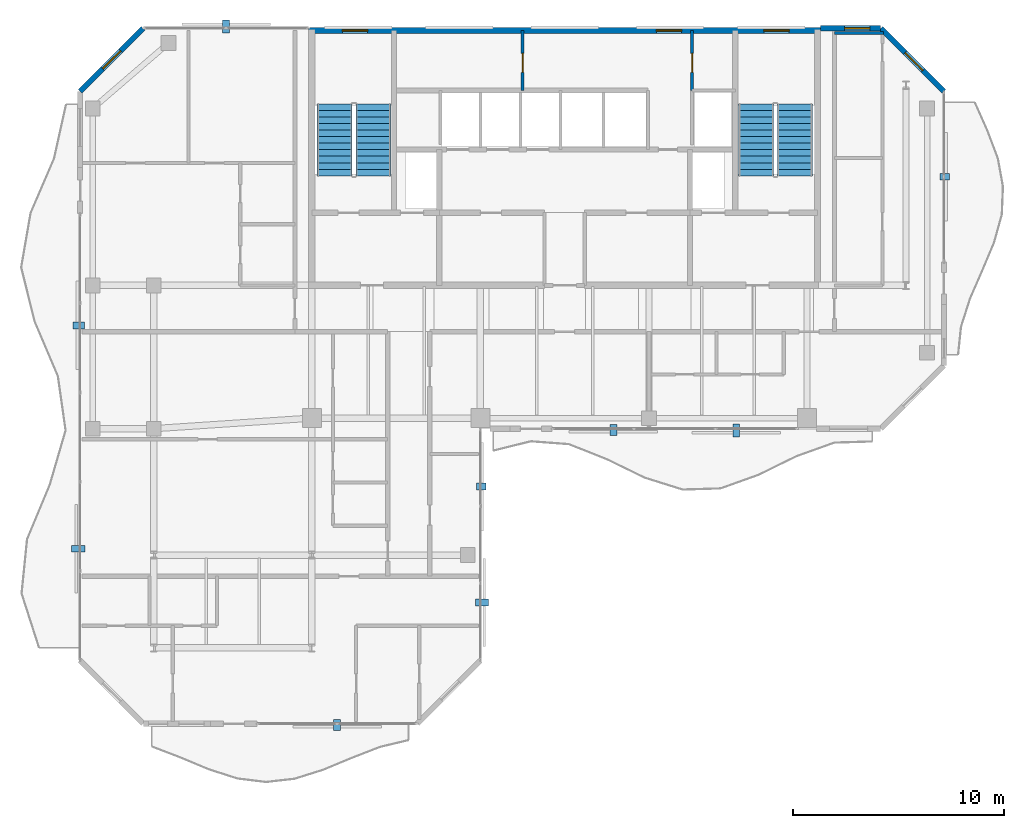
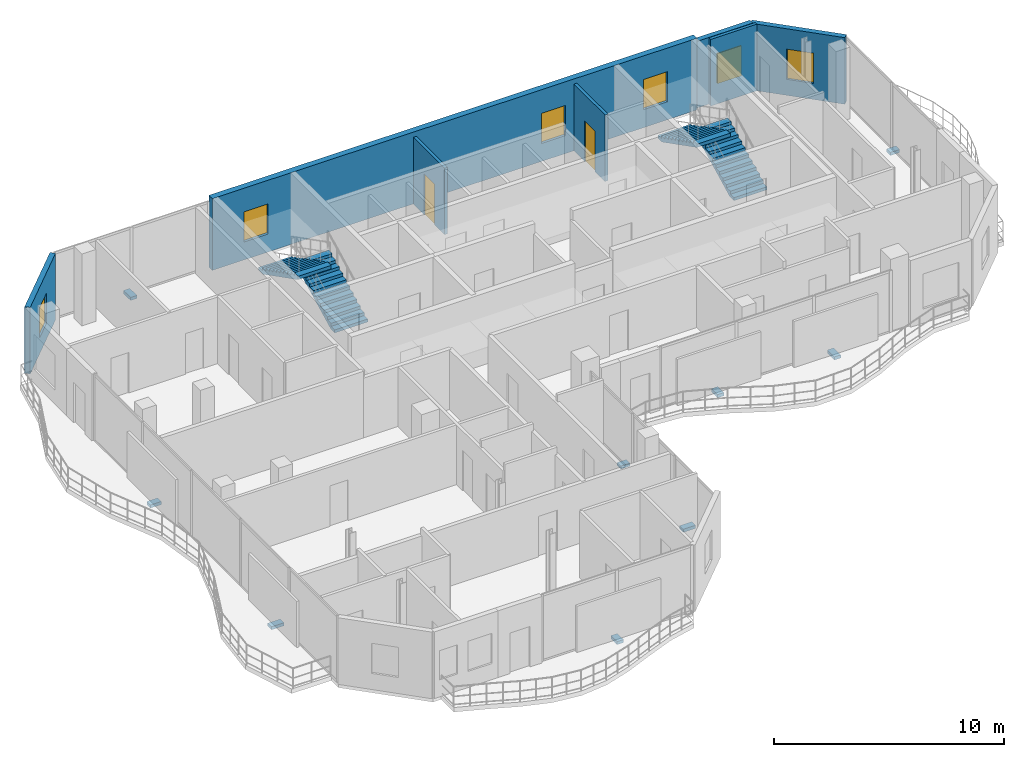
# One storey, part 20 of 22: 9 discrete accessories, 7 walls, 6 windows, 4 stair flights, 2 doors, 8 openings, 2 elements without a shape of their own.
"""IFC4 building model written with IfcOpenShell, lengths in metres."""

from ifc_helpers import new_model, si_unit, direction, frame, frame_2d, origin, origin_2d, place, context, subcontext, project, spatial, polyline, rectangle, outline, extrude, material, layer, layer_set, type_object, element, fill, aggregate, save


model = new_model("IFC4")

# Units and contexts
model_context = context("Model", 3, precision=1e-05, world=origin(), true_north=direction((0.0, 1.0)))
body_context = subcontext(model_context, "Body", "Model", "MODEL_VIEW")
ifc_project = project(units=[si_unit("LENGTHUNIT", "METRE"), si_unit("AREAUNIT", "SQUARE_METRE"), si_unit("VOLUMEUNIT", "CUBIC_METRE"), si_unit("PLANEANGLEUNIT", "RADIAN"), si_unit("MASSUNIT", "GRAM", prefix="KILO")], contexts=[model_context])

# Site, building, storey
site_placement = place(None, origin())
site = spatial("IfcSite", under=ifc_project, at=site_placement, CompositionType="ELEMENT")
building_placement = place(site_placement, origin())
building = spatial("IfcBuilding", under=site, at=building_placement, Name="Catumbela Crestline Tower", CompositionType="ELEMENT")
storey_placement = place(building_placement, frame((0.0, 0.0, 260.2)))
storey = spatial("IfcBuildingStorey", under=building, at=storey_placement, Name="L67", CompositionType="ELEMENT", Elevation=260.2)

# Wall, openings, windows
ifc_material_1 = material(Name="Concrete C45/55", Category="concrete")
ifc_layer_1 = layer(ifc_material_1, 0.3, Name="Concrete C45/55")
ifc_layer_set_1 = layer_set([ifc_layer_1], Name="Concrete C45/55")
wall_type_1 = type_object("IfcWallType", Name="CW-300E", PredefinedType="SHEAR", material=ifc_layer_set_1)
wall_1_placement = place(storey_placement, frame((15.85, 42.9, 0.0), z_axis=(0.0, 0.0, 1.0), x_axis=(1.0, 0.0, 0.0)))
wall_1 = element("IfcWall", 1, at=wall_1_placement, inside=storey, type_object=wall_type_1, Name="L67 Structural Core Shear Wall N", PredefinedType="SHEAR", context=body_context, shape_type="SweptSolid", body=[
    extrude(rectangle(XDim=24.3, YDim=0.3, at=frame_2d((12.15, 0.0))), origin(), (0.0, 0.0, 1.0), 3.8),
])
opening_1_placement = place(wall_1_placement, frame((1.6, 0.0, 0.95)))
opening_1 = element("IfcOpeningElement", 2, at=opening_1_placement, cuts=wall_1, Name="Opening WN-02", PredefinedType="OPENING", context=body_context, shape_type="SweptSolid", body=[
    extrude(rectangle(XDim=1.2, YDim=1.6, at=frame_2d((0.6, 0.8))), frame((0.0, 0.16, 0.0), z_axis=(0.0, -1.0, 0.0), x_axis=(1.0, 0.0, 0.0)), (0.0, 0.0, 1.0), 0.32),
])
opening_2_placement = place(wall_1_placement, frame((16.5, 0.0, 0.95)))
opening_2 = element("IfcOpeningElement", 3, at=opening_2_placement, cuts=wall_1, Name="Opening WN-02", PredefinedType="OPENING", context=body_context, shape_type="SweptSolid", body=[
    extrude(rectangle(XDim=1.2, YDim=1.6, at=frame_2d((0.6, 0.8))), frame((0.0, 0.16, 0.0), z_axis=(0.0, -1.0, 0.0), x_axis=(1.0, 0.0, 0.0)), (0.0, 0.0, 1.0), 0.32),
])
opening_3_placement = place(wall_1_placement, frame((21.6, 0.0, 0.95)))
opening_3 = element("IfcOpeningElement", 4, at=opening_3_placement, cuts=wall_1, Name="Opening WN-02", PredefinedType="OPENING", context=body_context, shape_type="SweptSolid", body=[
    extrude(rectangle(XDim=1.2, YDim=1.6, at=frame_2d((0.6, 0.8))), frame((0.0, 0.16, 0.0), z_axis=(0.0, -1.0, 0.0), x_axis=(1.0, 0.0, 0.0)), (0.0, 0.0, 1.0), 0.32),
])
ifc_material_2 = material(Name="Low-E laminated solar-control double glazing", Category="glass")
window_type = type_object("IfcWindowType", Name="WO-1200", PartitioningType="SINGLE_PANEL", PredefinedType="WINDOW", material=ifc_material_2)
window_1_placement = place(opening_1_placement, origin())
window_1 = element("IfcWindow", 5, at=window_1_placement, inside=storey, type_object=window_type, Name="L67 North Core Daylight Vision Window 515", OverallHeight=1.6, OverallWidth=1.2, PartitioningType="SINGLE_PANEL", PredefinedType="WINDOW", context=body_context, shape_type="SweptSolid", body=[
    extrude(rectangle(XDim=1.2, YDim=1.6, at=frame_2d((0.6, 0.8))), frame((0.0, 0.03, 0.0), z_axis=(0.0, -1.0, 0.0), x_axis=(1.0, 0.0, 0.0)), (0.0, 0.0, 1.0), 0.06),
])
fill(opening_1, window_1)
window_2_placement = place(opening_2_placement, origin())
window_2 = element("IfcWindow", 6, at=window_2_placement, inside=storey, type_object=window_type, Name="L67 North Core Daylight Vision Window 516", OverallHeight=1.6, OverallWidth=1.2, PartitioningType="SINGLE_PANEL", PredefinedType="WINDOW", context=body_context, shape_type="SweptSolid", body=[
    extrude(rectangle(XDim=1.2, YDim=1.6, at=frame_2d((0.6, 0.8))), frame((0.0, 0.03, 0.0), z_axis=(0.0, -1.0, 0.0), x_axis=(1.0, 0.0, 0.0)), (0.0, 0.0, 1.0), 0.06),
])
fill(opening_2, window_2)
window_3_placement = place(opening_3_placement, origin())
window_3 = element("IfcWindow", 7, at=window_3_placement, inside=storey, type_object=window_type, Name="L67 North Core Daylight Vision Window 517", OverallHeight=1.6, OverallWidth=1.2, PartitioningType="SINGLE_PANEL", PredefinedType="WINDOW", context=body_context, shape_type="SweptSolid", body=[
    extrude(rectangle(XDim=1.2, YDim=1.6, at=frame_2d((0.6, 0.8))), frame((0.0, 0.03, 0.0), z_axis=(0.0, -1.0, 0.0), x_axis=(1.0, 0.0, 0.0)), (0.0, 0.0, 1.0), 0.06),
])
fill(opening_3, window_3)

# Wall, opening, window
ifc_material_3 = material(Name="Angolan grey-ochre granite", Category="masonry")
ifc_layer_2 = layer(ifc_material_3, 0.25, Name="Angolan grey-ochre granite")
ifc_layer_set_2 = layer_set([ifc_layer_2], Name="Angolan grey-ochre granite")
wall_type_2 = type_object("IfcWallType", Name="WE-250", PredefinedType="STANDARD", material=ifc_layer_set_2)
wall_2_placement = place(storey_placement, frame((46.0, 40.0, 0.0), z_axis=(0.0, 0.0, 1.0), x_axis=(-0.707106781187, 0.707106781187, 0.0)))
wall_2 = element("IfcWall", 8, at=wall_2_placement, inside=storey, type_object=wall_type_2, Name="L67 Granite Punched Window Wall 6-1", PredefinedType="STANDARD", context=body_context, shape_type="SweptSolid", body=[
    extrude(rectangle(XDim=4.2426, YDim=0.25, at=frame_2d((2.1213, 0.0))), origin(), (0.0, 0.0, 1.0), 3.53),
])
opening_4_placement = place(wall_2_placement, frame((1.4111, 0.0, 0.85)))
opening_4 = element("IfcOpeningElement", 9, at=opening_4_placement, cuts=wall_2, Name="Opening WN-02", PredefinedType="OPENING", context=body_context, shape_type="SweptSolid", body=[
    extrude(rectangle(XDim=1.2, YDim=1.6, at=frame_2d((0.6, 0.8))), frame((0.0, 0.135, 0.0), z_axis=(0.0, -1.0, 0.0), x_axis=(1.0, 0.0, 0.0)), (0.0, 0.0, 1.0), 0.27),
])
window_4_placement = place(opening_4_placement, origin())
window_4 = element("IfcWindow", 10, at=window_4_placement, inside=storey, type_object=window_type, Name="L67 Facade Vision Window 524", OverallHeight=1.6, OverallWidth=1.2, PartitioningType="SINGLE_PANEL", PredefinedType="WINDOW", context=body_context, shape_type="SweptSolid", body=[
    extrude(rectangle(XDim=1.2, YDim=1.6, at=frame_2d((0.6, 0.8))), frame((0.0, 0.03, 0.0), z_axis=(0.0, -1.0, 0.0), x_axis=(1.0, 0.0, 0.0)), (0.0, 0.0, 1.0), 0.06),
])
fill(opening_4, window_4)

wall_3_placement = place(storey_placement, frame((43.0, 43.0, 0.0), z_axis=(0.0, 0.0, 1.0), x_axis=(-1.0, 0.0, 0.0)))
wall_3 = element("IfcWall", 11, at=wall_3_placement, inside=storey, type_object=wall_type_2, Name="L67 Granite Punched Window Wall 7-1", PredefinedType="STANDARD", context=body_context, shape_type="SweptSolid", body=[
    extrude(rectangle(XDim=2.86, YDim=0.25, at=frame_2d((1.43, 0.0))), origin(), (0.0, 0.0, 1.0), 3.53),
])
opening_5_placement = place(wall_3_placement, frame((0.51, 0.0, 0.85)))
opening_5 = element("IfcOpeningElement", 12, at=opening_5_placement, cuts=wall_3, Name="Opening WN-02", PredefinedType="OPENING", context=body_context, shape_type="SweptSolid", body=[
    extrude(rectangle(XDim=1.2, YDim=1.6, at=frame_2d((0.6, 0.8))), frame((0.0, 0.135, 0.0), z_axis=(0.0, -1.0, 0.0), x_axis=(1.0, 0.0, 0.0)), (0.0, 0.0, 1.0), 0.27),
])
window_5_placement = place(opening_5_placement, origin())
window_5 = element("IfcWindow", 13, at=window_5_placement, inside=storey, type_object=window_type, Name="L67 Facade Vision Window 525", OverallHeight=1.6, OverallWidth=1.2, PartitioningType="SINGLE_PANEL", PredefinedType="WINDOW", context=body_context, shape_type="SweptSolid", body=[
    extrude(rectangle(XDim=1.2, YDim=1.6, at=frame_2d((0.6, 0.8))), frame((0.0, 0.03, 0.0), z_axis=(0.0, -1.0, 0.0), x_axis=(1.0, 0.0, 0.0)), (0.0, 0.0, 1.0), 0.06),
])
fill(opening_5, window_5)

wall_4_placement = place(storey_placement, frame((8.0, 43.0, 0.0), z_axis=(0.0, 0.0, 1.0), x_axis=(-0.707106781187, -0.707106781187, 0.0)))
wall_4 = element("IfcWall", 14, at=wall_4_placement, inside=storey, type_object=wall_type_2, Name="L67 Granite Punched Window Wall 8-1", PredefinedType="STANDARD", context=body_context, shape_type="SweptSolid", body=[
    extrude(rectangle(XDim=4.2426, YDim=0.25, at=frame_2d((2.1213, 0.0))), origin(), (0.0, 0.0, 1.0), 3.53),
])
opening_6_placement = place(wall_4_placement, frame((1.5213, 0.0, 0.85)))
opening_6 = element("IfcOpeningElement", 15, at=opening_6_placement, cuts=wall_4, Name="Opening WN-02", PredefinedType="OPENING", context=body_context, shape_type="SweptSolid", body=[
    extrude(rectangle(XDim=1.2, YDim=1.6, at=frame_2d((0.6, 0.8))), frame((0.0, 0.135, 0.0), z_axis=(0.0, -1.0, 0.0), x_axis=(1.0, 0.0, 0.0)), (0.0, 0.0, 1.0), 0.27),
])
window_6_placement = place(opening_6_placement, origin())
window_6 = element("IfcWindow", 16, at=window_6_placement, inside=storey, type_object=window_type, Name="L67 Facade Vision Window 526", OverallHeight=1.6, OverallWidth=1.2, PartitioningType="SINGLE_PANEL", PredefinedType="WINDOW", context=body_context, shape_type="SweptSolid", body=[
    extrude(rectangle(XDim=1.2, YDim=1.6, at=frame_2d((0.6, 0.8))), frame((0.0, 0.03, 0.0), z_axis=(0.0, -1.0, 0.0), x_axis=(1.0, 0.0, 0.0)), (0.0, 0.0, 1.0), 0.06),
])
fill(opening_6, window_6)

# Wall, opening, door
ifc_material_4 = material(Name="Acoustic gypsum and mineral-wool partition")
ifc_layer_3 = layer(ifc_material_4, 0.15, Name="Acoustic gypsum and mineral-wool partition")
ifc_layer_set_3 = layer_set([ifc_layer_3], Name="Acoustic gypsum and mineral-wool partition")
wall_type_3 = type_object("IfcWallType", Name="WP-150", PredefinedType="PARTITIONING", material=ifc_layer_set_3)
wall_5_placement = place(storey_placement, frame((34.05, 40.05, 0.0), z_axis=(0.0, 0.0, 1.0), x_axis=(0.0, 1.0, 0.0)))
wall_5 = element("IfcWall", 17, at=wall_5_placement, inside=storey, type_object=wall_type_3, Name="L67 Interior Partition PW-L67-CR-EW", PredefinedType="PARTITIONING", context=body_context, shape_type="SweptSolid", body=[
    extrude(rectangle(XDim=2.85, YDim=0.15, at=frame_2d((1.425, 0.0))), origin(), (0.0, 0.0, 1.0), 3.53),
])
opening_7_placement = place(wall_5_placement, frame((0.865, 0.0, 0.0)))
opening_7 = element("IfcOpeningElement", 18, at=opening_7_placement, cuts=wall_5, Name="Opening DF9-090", PredefinedType="OPENING", context=body_context, shape_type="SweptSolid", body=[
    extrude(rectangle(XDim=0.9, YDim=2.15, at=frame_2d((0.45, 1.075))), frame((0.0, 0.085, 0.0), z_axis=(0.0, -1.0, 0.0), x_axis=(1.0, 0.0, 0.0)), (0.0, 0.0, 1.0), 0.17),
])
ifc_material_5 = material(Name="Stainless steel EN 1.4401", Category="steel")
door_type = type_object("IfcDoorType", Name="DF9-090", OperationType="NOTDEFINED", PredefinedType="DOOR", material=ifc_material_5)
door_1_placement = place(opening_7_placement, origin())
door_1 = element("IfcDoor", 19, at=door_1_placement, inside=storey, type_object=door_type, Name="L67 Interior Door DR-L67-CREAST", OperationType="SINGLE_SWING_RIGHT", OverallHeight=2.15, OverallWidth=0.9, PredefinedType="DOOR", context=body_context, shape_type="SweptSolid", body=[
    extrude(rectangle(XDim=0.9, YDim=2.15, at=frame_2d((0.45, 1.075))), frame((0.0, 0.025, 0.0), z_axis=(0.0, -1.0, 0.0), x_axis=(1.0, 0.0, 0.0)), (0.0, 0.0, 1.0), 0.05),
])
fill(opening_7, door_1)

wall_6_placement = place(storey_placement, frame((26.0, 40.05, 0.0), z_axis=(0.0, 0.0, 1.0), x_axis=(0.0, 1.0, 0.0)))
wall_6 = element("IfcWall", 20, at=wall_6_placement, inside=storey, type_object=wall_type_3, Name="L67 Interior Partition PW-L67-CR-WW", PredefinedType="PARTITIONING", context=body_context, shape_type="SweptSolid", body=[
    extrude(rectangle(XDim=2.85, YDim=0.15, at=frame_2d((1.425, 0.0))), origin(), (0.0, 0.0, 1.0), 3.53),
])
opening_8_placement = place(wall_6_placement, frame((0.865, 0.0, 0.0)))
opening_8 = element("IfcOpeningElement", 21, at=opening_8_placement, cuts=wall_6, Name="Opening DF9-090", PredefinedType="OPENING", context=body_context, shape_type="SweptSolid", body=[
    extrude(rectangle(XDim=0.9, YDim=2.15, at=frame_2d((0.45, 1.075))), frame((0.0, 0.085, 0.0), z_axis=(0.0, -1.0, 0.0), x_axis=(1.0, 0.0, 0.0)), (0.0, 0.0, 1.0), 0.17),
])
door_2_placement = place(opening_8_placement, origin())
door_2 = element("IfcDoor", 22, at=door_2_placement, inside=storey, type_object=door_type, Name="L67 Interior Door DR-L67-CRWEST", OperationType="SINGLE_SWING_LEFT", OverallHeight=2.15, OverallWidth=0.9, PredefinedType="DOOR", context=body_context, shape_type="SweptSolid", body=[
    extrude(rectangle(XDim=0.9, YDim=2.15, at=frame_2d((0.45, 1.075))), frame((0.0, 0.025, 0.0), z_axis=(0.0, -1.0, 0.0), x_axis=(1.0, 0.0, 0.0)), (0.0, 0.0, 1.0), 0.05),
])
fill(opening_8, door_2)

# Wall
wall_7_placement = place(storey_placement, frame((40.8, 42.78, 0.0), z_axis=(0.0, 0.0, 1.0), x_axis=(1.0, 0.0, 0.0)))
element("IfcWall", 23, at=wall_7_placement, inside=storey, type_object=wall_type_3, Name="L67 Interior Partition PW-L67-NE1-BTH-BCL-2", PredefinedType="PARTITIONING", context=body_context, shape_type="SweptSolid", body=[
    extrude(rectangle(XDim=2.32, YDim=0.15, at=frame_2d((1.16, 0.0))), origin(), (0.0, 0.0, 1.0), 3.53),
])

# Stair, stair flights
stair_type = type_object("IfcStairType", Name="ST-DLG", PredefinedType="HALF_TURN_STAIR", material=ifc_material_1)
stair_1_placement = place(storey_placement, origin())
stair_1 = element("IfcStair", 24, at=stair_1_placement, inside=storey, type_object=stair_type, Name="L67 West Core Pressurised Exit Stair ST-01", PredefinedType="HALF_TURN_STAIR")
stair_flight_type = type_object("IfcStairFlightType", Name="SF-1583", PredefinedType="STRAIGHT", material=ifc_material_1)
stair_flight_1_placement = place(storey_placement, frame((18.92, 36.0, 0.0), z_axis=(0.0, 0.0, 1.0), x_axis=(0.0, 1.0, 0.0)))
stair_flight_1 = element("IfcStairFlight", 25, at=stair_flight_1_placement, type_object=stair_flight_type, Name="ST-01 flight 1", NumberOfRisers=12, NumberOfTreads=11, PredefinedType="STRAIGHT", RiserHeight=0.158333333, TreadLength=0.31, context=body_context, shape_type="SweptSolid", body=[
    extrude(outline(polyline([(0.0, 0.0), (0.0, 0.1583), (0.31, 0.1583), (0.31, 0.3167), (0.62, 0.3167), (0.62, 0.475), (0.93, 0.475), (0.93, 0.6333), (1.24, 0.6333), (1.24, 0.7917), (1.55, 0.7917), (1.55, 0.95), (1.86, 0.95), (1.86, 1.1083), (2.17, 1.1083), (2.17, 1.2667), (2.48, 1.2667), (2.48, 1.425), (2.79, 1.425), (2.79, 1.5833), (3.1, 1.5833), (3.1, 1.7417), (3.41, 1.7417), (3.41, 1.9), (3.41, 1.562), (0.3518, 0.0), (0.0, 0.0)])), frame((0.0, 0.83, 0.0), z_axis=(0.0, -1.0, 0.0), x_axis=(1.0, 0.0, 0.0)), (0.0, 0.0, 1.0), 1.66),
])
stair_flight_2_placement = place(storey_placement, frame((17.08, 39.41, 1.9), z_axis=(0.0, 0.0, 1.0), x_axis=(0.0, -1.0, 0.0)))
stair_flight_2 = element("IfcStairFlight", 26, at=stair_flight_2_placement, type_object=stair_flight_type, Name="ST-01 flight 2", NumberOfRisers=12, NumberOfTreads=11, PredefinedType="STRAIGHT", RiserHeight=0.158333333, TreadLength=0.31, context=body_context, shape_type="SweptSolid", body=[
    extrude(outline(polyline([(0.0, 0.0), (0.0, 0.1583), (0.31, 0.1583), (0.31, 0.3167), (0.62, 0.3167), (0.62, 0.475), (0.93, 0.475), (0.93, 0.6333), (1.24, 0.6333), (1.24, 0.7917), (1.55, 0.7917), (1.55, 0.95), (1.86, 0.95), (1.86, 1.1083), (2.17, 1.1083), (2.17, 1.2667), (2.48, 1.2667), (2.48, 1.425), (2.79, 1.425), (2.79, 1.5833), (3.1, 1.5833), (3.1, 1.7417), (3.41, 1.7417), (3.41, 1.9), (3.41, 1.562), (0.3518, 0.0), (0.0, 0.0)])), frame((0.0, 0.83, 0.0), z_axis=(0.0, -1.0, 0.0), x_axis=(1.0, 0.0, 0.0)), (0.0, 0.0, 1.0), 1.66),
])
aggregate(stair_1, [stair_flight_1, stair_flight_2])

stair_2_placement = place(storey_placement, origin())
stair_2 = element("IfcStair", 27, at=stair_2_placement, inside=storey, type_object=stair_type, Name="L67 East Core Pressurised Exit Stair ST-02", PredefinedType="HALF_TURN_STAIR")
stair_flight_3_placement = place(storey_placement, frame((38.92, 36.0, 0.0), z_axis=(0.0, 0.0, 1.0), x_axis=(0.0, 1.0, 0.0)))
stair_flight_3 = element("IfcStairFlight", 28, at=stair_flight_3_placement, type_object=stair_flight_type, Name="ST-02 flight 1", NumberOfRisers=12, NumberOfTreads=11, PredefinedType="STRAIGHT", RiserHeight=0.158333333, TreadLength=0.31, context=body_context, shape_type="SweptSolid", body=[
    extrude(outline(polyline([(0.0, 0.0), (0.0, 0.1583), (0.31, 0.1583), (0.31, 0.3167), (0.62, 0.3167), (0.62, 0.475), (0.93, 0.475), (0.93, 0.6333), (1.24, 0.6333), (1.24, 0.7917), (1.55, 0.7917), (1.55, 0.95), (1.86, 0.95), (1.86, 1.1083), (2.17, 1.1083), (2.17, 1.2667), (2.48, 1.2667), (2.48, 1.425), (2.79, 1.425), (2.79, 1.5833), (3.1, 1.5833), (3.1, 1.7417), (3.41, 1.7417), (3.41, 1.9), (3.41, 1.562), (0.3518, 0.0), (0.0, 0.0)])), frame((0.0, 0.83, 0.0), z_axis=(0.0, -1.0, 0.0), x_axis=(1.0, 0.0, 0.0)), (0.0, 0.0, 1.0), 1.66),
])
stair_flight_4_placement = place(storey_placement, frame((37.08, 39.41, 1.9), z_axis=(0.0, 0.0, 1.0), x_axis=(0.0, -1.0, 0.0)))
stair_flight_4 = element("IfcStairFlight", 29, at=stair_flight_4_placement, type_object=stair_flight_type, Name="ST-02 flight 2", NumberOfRisers=12, NumberOfTreads=11, PredefinedType="STRAIGHT", RiserHeight=0.158333333, TreadLength=0.31, context=body_context, shape_type="SweptSolid", body=[
    extrude(outline(polyline([(0.0, 0.0), (0.0, 0.1583), (0.31, 0.1583), (0.31, 0.3167), (0.62, 0.3167), (0.62, 0.475), (0.93, 0.475), (0.93, 0.6333), (1.24, 0.6333), (1.24, 0.7917), (1.55, 0.7917), (1.55, 0.95), (1.86, 0.95), (1.86, 1.1083), (2.17, 1.1083), (2.17, 1.2667), (2.48, 1.2667), (2.48, 1.425), (2.79, 1.425), (2.79, 1.5833), (3.1, 1.5833), (3.1, 1.7417), (3.41, 1.7417), (3.41, 1.9), (3.41, 1.562), (0.3518, 0.0), (0.0, 0.0)])), frame((0.0, 0.83, 0.0), z_axis=(0.0, -1.0, 0.0), x_axis=(1.0, 0.0, 0.0)), (0.0, 0.0, 1.0), 1.66),
])
aggregate(stair_2, [stair_flight_3, stair_flight_4])

# Discrete accessories
discrete_accessory_type = type_object("IfcDiscreteAccessoryType", Name="BK-SS1", PredefinedType="BRACKET", material=ifc_material_5)
discrete_accessory_1_placement = place(storey_placement, frame((17.2, 9.935, -0.18), z_axis=(0.0, 0.0, 1.0), x_axis=(1.0, 0.0, 0.0)))
element("IfcDiscreteAccessory", 30, at=discrete_accessory_1_placement, inside=storey, type_object=discrete_accessory_type, Name="L67 Solar Screen Stainless Bracket 815", PredefinedType="BRACKET", context=body_context, shape_type="SweptSolid", body=[
    extrude(rectangle(XDim=0.32, YDim=0.54, at=origin_2d()), origin(), (0.0, 0.0, 1.0), 0.16),
])
discrete_accessory_2_placement = place(storey_placement, frame((24.085, 15.75, -0.18), z_axis=(0.0, 0.0, 1.0), x_axis=(0.0, 1.0, 0.0)))
element("IfcDiscreteAccessory", 31, at=discrete_accessory_2_placement, inside=storey, type_object=discrete_accessory_type, Name="L67 Solar Screen Stainless Bracket 816", PredefinedType="BRACKET", context=body_context, shape_type="SweptSolid", body=[
    extrude(rectangle(XDim=0.32, YDim=0.62, at=origin_2d()), origin(), (0.0, 0.0, 1.0), 0.16),
])
discrete_accessory_3_placement = place(storey_placement, frame((24.045, 21.25, -0.18), z_axis=(0.0, 0.0, 1.0), x_axis=(0.0, 1.0, 0.0)))
element("IfcDiscreteAccessory", 32, at=discrete_accessory_3_placement, inside=storey, type_object=discrete_accessory_type, Name="L67 Solar Screen Stainless Bracket 817", PredefinedType="BRACKET", context=body_context, shape_type="SweptSolid", body=[
    extrude(rectangle(XDim=0.32, YDim=0.46, at=origin_2d()), origin(), (0.0, 0.0, 1.0), 0.16),
])
discrete_accessory_4_placement = place(storey_placement, frame((30.3125, 23.935, -0.18), z_axis=(0.0, 0.0, 1.0), x_axis=(1.0, 0.0, 0.0)))
element("IfcDiscreteAccessory", 33, at=discrete_accessory_4_placement, inside=storey, type_object=discrete_accessory_type, Name="L67 Solar Screen Stainless Bracket 818", PredefinedType="BRACKET", context=body_context, shape_type="SweptSolid", body=[
    extrude(rectangle(XDim=0.32, YDim=0.54, at=origin_2d()), origin(), (0.0, 0.0, 1.0), 0.16),
])
discrete_accessory_5_placement = place(storey_placement, frame((36.1375, 23.915, -0.18), z_axis=(0.0, 0.0, 1.0), x_axis=(1.0, 0.0, 0.0)))
element("IfcDiscreteAccessory", 34, at=discrete_accessory_5_placement, inside=storey, type_object=discrete_accessory_type, Name="L67 Solar Screen Stainless Bracket 819", PredefinedType="BRACKET", context=body_context, shape_type="SweptSolid", body=[
    extrude(rectangle(XDim=0.32, YDim=0.62, at=origin_2d()), origin(), (0.0, 0.0, 1.0), 0.16),
])
discrete_accessory_6_placement = place(storey_placement, frame((46.045, 35.95, -0.18), z_axis=(0.0, 0.0, 1.0), x_axis=(0.0, 1.0, 0.0)))
element("IfcDiscreteAccessory", 35, at=discrete_accessory_6_placement, inside=storey, type_object=discrete_accessory_type, Name="L67 Solar Screen Stainless Bracket 820", PredefinedType="BRACKET", context=body_context, shape_type="SweptSolid", body=[
    extrude(rectangle(XDim=0.32, YDim=0.46, at=origin_2d()), origin(), (0.0, 0.0, 1.0), 0.16),
])
discrete_accessory_7_placement = place(storey_placement, frame((11.93, 43.085, -0.18), z_axis=(0.0, 0.0, 1.0), x_axis=(-1.0, 0.0, 0.0)))
element("IfcDiscreteAccessory", 36, at=discrete_accessory_7_placement, inside=storey, type_object=discrete_accessory_type, Name="L67 Solar Screen Stainless Bracket 821", PredefinedType="BRACKET", context=body_context, shape_type="SweptSolid", body=[
    extrude(rectangle(XDim=0.32, YDim=0.62, at=origin_2d()), origin(), (0.0, 0.0, 1.0), 0.16),
])
discrete_accessory_8_placement = place(storey_placement, frame((4.935, 28.9, -0.18), z_axis=(0.0, 0.0, 1.0), x_axis=(0.0, -1.0, 0.0)))
element("IfcDiscreteAccessory", 37, at=discrete_accessory_8_placement, inside=storey, type_object=discrete_accessory_type, Name="L67 Solar Screen Stainless Bracket 822", PredefinedType="BRACKET", context=body_context, shape_type="SweptSolid", body=[
    extrude(rectangle(XDim=0.32, YDim=0.54, at=origin_2d()), origin(), (0.0, 0.0, 1.0), 0.16),
])
discrete_accessory_9_placement = place(storey_placement, frame((4.915, 18.3, -0.18), z_axis=(0.0, 0.0, 1.0), x_axis=(0.0, -1.0, 0.0)))
element("IfcDiscreteAccessory", 38, at=discrete_accessory_9_placement, inside=storey, type_object=discrete_accessory_type, Name="L67 Solar Screen Stainless Bracket 823", PredefinedType="BRACKET", context=body_context, shape_type="SweptSolid", body=[
    extrude(rectangle(XDim=0.32, YDim=0.62, at=origin_2d()), origin(), (0.0, 0.0, 1.0), 0.16),
])

save(model, "model.ifc")
